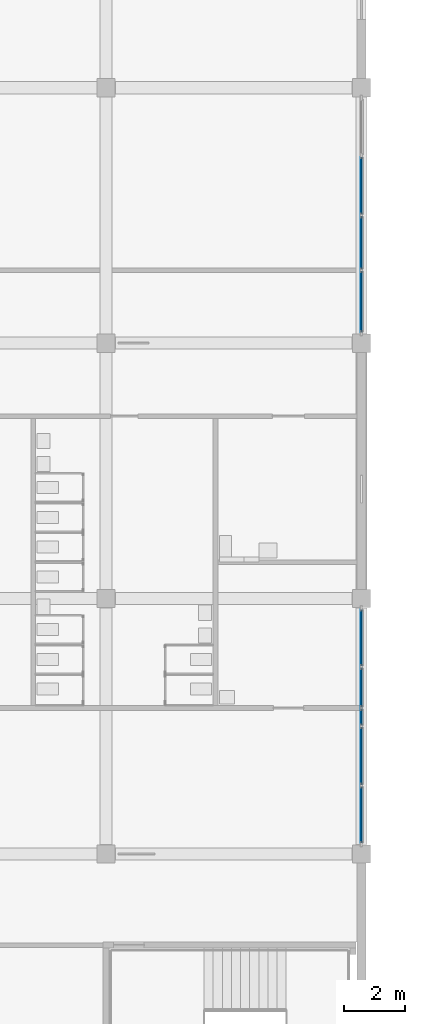
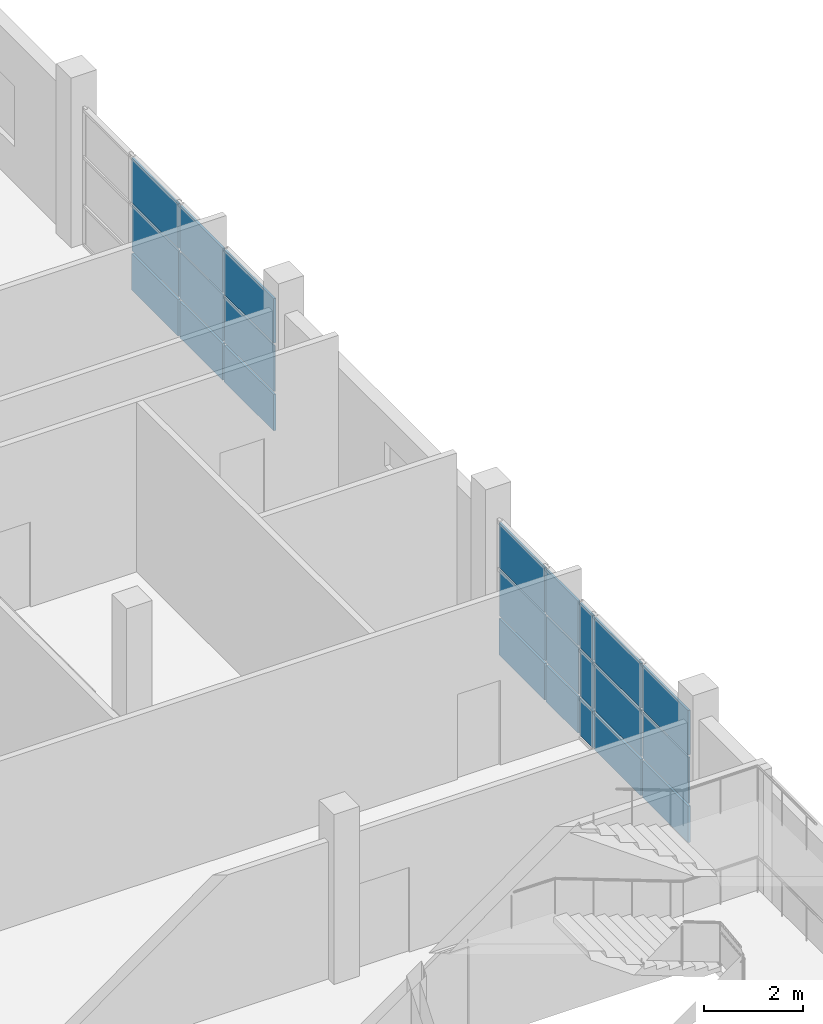
# One storey, part 13 of 56: 24 plates, 2 elements without a shape of their own.
"""IFC4 building model written with IfcOpenShell, lengths in metres."""

import ifcopenshell
import ifcopenshell.guid

model = None  # the IFC model being written
_history = None  # IfcOwnerHistory: only IFC2X3 demands one
_inside = {}  # id of a spatial element -> (the spatial element, [elements in it])
_under = {}  # id of a project, library or spatial element -> (it, [spatial elements below it])
_declared = {}  # id of a project -> (the project, [libraries it declares])
_typed = {}  # id of a type object -> (the type object, [elements of that type])
_made_of = {}  # id of a material, layer set ... -> (it, [elements and type objects made of it])


def new_model(schema):
    """Start an empty IFC model of exactly this schema.

    Asked for "IFC4X3", IfcOpenShell would pick the latest addendum, in which some entities
    have other attributes; the version numbers below select the first issue.
    IFC2X3 requires an IfcOwnerHistory on every rooted entity: one is made here for all.
    """
    global model, _history
    if schema == "IFC4X3":
        model = ifcopenshell.file(schema_version=(4, 3, 0, 0))
    else:
        model = ifcopenshell.file(schema=schema)
    _inside.clear()
    _under.clear()
    _declared.clear()
    _typed.clear()
    _made_of.clear()
    _history = None
    if model.schema == "IFC2X3":
        org = make("IfcOrganization", Name="unknown")
        user = make(
            "IfcPersonAndOrganization",
            ThePerson=make("IfcPerson", FamilyName="unknown"),
            TheOrganization=org,
        )
        app = make(
            "IfcApplication",
            ApplicationDeveloper=org,
            Version="unknown",
            ApplicationFullName="unknown",
            ApplicationIdentifier="unknown",
        )
        _history = make(
            "IfcOwnerHistory",
            OwningUser=user,
            OwningApplication=app,
            ChangeAction="ADDED",
            CreationDate=0,
        )
    return model


def make(cls, **values):
    """One entity of the class cls with the attributes given. An attribute that is None is left unset."""
    return model.create_entity(
        cls, **{name: value for name, value in values.items() if value is not None}
    )


def rooted(cls, **values):
    """An entity with a GlobalId (a new one), such as an element, a storey or a relation."""
    return make(cls, GlobalId=ifcopenshell.guid.new(), OwnerHistory=_history, **values)


def si_unit(unit_type, name, prefix=None):
    """IfcSIUnit, for example si_unit("LENGTHUNIT", "METRE", prefix="MILLI")."""
    return make("IfcSIUnit", UnitType=unit_type, Prefix=prefix, Name=name)


def assignment(units):
    """IfcUnitAssignment: the units of a project."""
    return None if units is None else make("IfcUnitAssignment", Units=units)


def point(xyz):
    """IfcCartesianPoint."""
    return None if xyz is None else make("IfcCartesianPoint", Coordinates=xyz)


def direction(xyz):
    """IfcDirection."""
    return None if xyz is None else make("IfcDirection", DirectionRatios=xyz)


def frame(location, z_axis=None, x_axis=None):
    """IfcAxis2Placement3D, a coordinate frame: its origin and axes. An axis left out is left unset."""
    return make(
        "IfcAxis2Placement3D",
        Location=point(location),
        Axis=direction(z_axis),
        RefDirection=direction(x_axis),
    )


def frame_2d(location, x_axis=None):
    """IfcAxis2Placement2D, a coordinate frame in the plane: its origin and x axis."""
    return make(
        "IfcAxis2Placement2D", Location=point(location), RefDirection=direction(x_axis)
    )


def origin():
    """The frame at (0, 0, 0) with its axes left unset."""
    return frame((0.0, 0.0, 0.0))


def origin_2d():
    """The frame at (0, 0) in the plane with its x axis left unset."""
    return frame_2d((0.0, 0.0))


def place(relative_to, where):
    """IfcLocalPlacement: puts the frame where relative to a parent placement (None: the world)."""
    return make(
        "IfcLocalPlacement", PlacementRelTo=relative_to, RelativePlacement=where
    )


def context(
    kind, dimensions, precision=None, world=None, true_north=None, identifier=None
):
    """IfcGeometricRepresentationContext, for example the 3D "Model" context."""
    return make(
        "IfcGeometricRepresentationContext",
        ContextIdentifier=identifier,
        ContextType=kind,
        CoordinateSpaceDimension=dimensions,
        Precision=precision,
        WorldCoordinateSystem=world,
        TrueNorth=true_north,
    )


def subcontext(parent, identifier, kind, view, scale=None):
    """IfcGeometricRepresentationSubContext, for example "Body" below "Model"."""
    return make(
        "IfcGeometricRepresentationSubContext",
        ContextIdentifier=identifier,
        ContextType=kind,
        ParentContext=parent,
        TargetScale=scale,
        TargetView=view,
    )


def project(units=None, contexts=None):
    """IfcProject with its units and contexts."""
    return rooted(
        "IfcProject",
        Name="project",
        RepresentationContexts=contexts,
        UnitsInContext=assignment(units),
    )


def spatial(cls, under=None, at=None, **own):
    """A site, building, storey or space (cls), placed at a placement, below another one or the project."""
    s = rooted(cls, ObjectPlacement=at, **own)
    if under is not None:
        _under.setdefault(under.id(), (under, []))[1].append(s)
    return s


def profile(cls, at=None, kind="AREA", **sizes):
    """A parametric profile (cls). Its sizes go by their IFC names, for example OverallWidth=200.0."""
    return make(cls, ProfileType=kind, Position=at, **sizes)


def rectangle(**sizes):
    """IfcRectangleProfileDef."""
    return profile("IfcRectangleProfileDef", **sizes)


def extrude(swept, where, along, depth):
    """IfcExtrudedAreaSolid: the profile swept, set in the frame where, extruded along a direction by depth."""
    return make(
        "IfcExtrudedAreaSolid",
        SweptArea=swept,
        Position=where,
        ExtrudedDirection=direction(along),
        Depth=depth,
    )


def shape(context_of_items, identifier, shape_type, items):
    """IfcShapeRepresentation: the items that make up one representation, for example the "Body"."""
    return make(
        "IfcShapeRepresentation",
        ContextOfItems=context_of_items,
        RepresentationIdentifier=identifier,
        RepresentationType=shape_type,
        Items=items,
    )


def material(Name=None, Category=None):
    """IfcMaterial."""
    return make("IfcMaterial", Name=Name, Category=Category)


def layer(
    of_material, thickness, ventilated=None, Name=None, Category=None, Priority=None
):
    """IfcMaterialLayer: one layer of a wall or slab, of a material (None: an air gap)."""
    return make(
        "IfcMaterialLayer",
        Material=of_material,
        LayerThickness=thickness,
        IsVentilated=ventilated,
        Name=Name,
        Category=Category,
        Priority=Priority,
    )


def layer_set(layers, Name=None):
    """IfcMaterialLayerSet."""
    return make("IfcMaterialLayerSet", MaterialLayers=layers, LayerSetName=Name)


def made_of(thing, what):
    """Note that an element or type object is made of a material, layer set ...; save() writes the relation."""
    if what is not None:
        _made_of.setdefault(what.id(), (what, []))[1].append(thing)
    return thing


def type_object(cls, material=None, **own):
    """A type object (cls), such as IfcWallType, which elements share."""
    return made_of(rooted(cls, **own), material)


def element(
    cls,
    number,
    at=None,
    inside=None,
    cuts=None,
    type_object=None,
    material=None,
    context=None,
    identifier="Body",
    shape_type=None,
    held_by="IfcProductDefinitionShape",
    body=None,
    shapes=None,
    **own,
):
    """One element of the class cls, such as IfcWall. Its Tag is "e" and its number.

    at: its placement. inside: the storey or other place that contains it. cuts: it is an
    opening in that element (IfcRelVoidsElement). A single representation is given by context,
    identifier, shape_type and body (its items); several are given by shapes. held_by: the class
    of the entity that holds the representations. save() writes the other relations.
    """
    e = rooted(cls, Tag="e%d" % number, ObjectPlacement=at, **own)
    if body is not None:
        shapes = [shape(context, identifier, shape_type, body)]
    if shapes is not None:
        e.Representation = make(held_by, Representations=shapes)
    if inside is not None:
        _inside.setdefault(inside.id(), (inside, []))[1].append(e)
    if cuts is not None:
        rooted(
            "IfcRelVoidsElement", RelatingBuildingElement=cuts, RelatedOpeningElement=e
        )
    if type_object is not None:
        _typed.setdefault(type_object.id(), (type_object, []))[1].append(e)
    return made_of(e, material)


def aggregate(whole, parts):
    """IfcRelAggregates: a whole, such as a stair, and the parts it consists of."""
    return rooted("IfcRelAggregates", RelatingObject=whole, RelatedObjects=parts)


def save(model, path):
    """Write the relations noted so far, then the file.

    IfcRelAggregates (storeys below a building ...), IfcRelContainedInSpatialStructure (elements
    in a storey), IfcRelDefinesByType, IfcRelAssociatesMaterial and IfcRelDeclares: one each for
    every whole, place, type object, material and project.
    """
    for whole, parts in _under.values():
        aggregate(whole, parts)
    for where, things in _inside.values():
        rooted(
            "IfcRelContainedInSpatialStructure",
            RelatedElements=things,
            RelatingStructure=where,
        )
    for kind, things in _typed.values():
        rooted("IfcRelDefinesByType", RelatedObjects=things, RelatingType=kind)
    for what, things in _made_of.values():
        rooted("IfcRelAssociatesMaterial", RelatedObjects=things, RelatingMaterial=what)
    for by, libraries in _declared.values():
        rooted("IfcRelDeclares", RelatingContext=by, RelatedDefinitions=libraries)
    model.write(path)


model = new_model("IFC4")

# Units and contexts
model_context = context("Model", 3, precision=1e-05, world=origin(), true_north=direction((0.0, 1.0)))
body_context = subcontext(model_context, "Body", "Model", "MODEL_VIEW")
ifc_project = project(units=[si_unit("LENGTHUNIT", "METRE"), si_unit("AREAUNIT", "SQUARE_METRE"), si_unit("VOLUMEUNIT", "CUBIC_METRE"), si_unit("PLANEANGLEUNIT", "RADIAN"), si_unit("MASSUNIT", "GRAM", prefix="KILO")], contexts=[model_context])

# Site, building, storey
site_placement = place(None, origin())
site = spatial("IfcSite", under=ifc_project, at=site_placement, CompositionType="ELEMENT")
building_placement = place(site_placement, origin())
building = spatial("IfcBuilding", under=site, at=building_placement, Name="Rulbaag Community and Learning Centre", CompositionType="ELEMENT")
storey_placement = place(building_placement, frame((0.0, 0.0, 9.89990234375)))
storey = spatial("IfcBuildingStorey", under=building, at=storey_placement, Name="L02", CompositionType="ELEMENT", Elevation=9.89990234375)

# Curtain wall, plates
ifc_material_1 = material(Name="Aluminium", Category="aluminium")
ifc_layer_1 = layer(ifc_material_1, 0.14990234375)
ifc_layer_set_1 = layer_set([ifc_layer_1], Name="CW-L")
curtain_wall_type = type_object("IfcCurtainWallType", Name="CW-L", PredefinedType="USERDEFINED", material=ifc_layer_set_1)
curtain_wall_1_placement = place(storey_placement, origin())
curtain_wall_1 = element("IfcCurtainWall", 1, at=curtain_wall_1_placement, inside=storey, type_object=curtain_wall_type, Name="GL-L02-06", ObjectType="STICK CURTAIN WALL", PredefinedType="USERDEFINED")
ifc_layer_2 = layer(ifc_material_1, 0.050048828125)
ifc_layer_set_2 = layer_set([ifc_layer_2], Name="CW-L-SPN")
plate_type_1 = type_object("IfcPlateType", Name="CW-L-SPN", PredefinedType="CURTAIN_PANEL", material=ifc_layer_set_2)
plate_1_placement = place(storey_placement, frame((168.0, 9.691162109375, 0.06494140625), z_axis=(0.0, 0.0, 1.0), x_axis=(0.0, 1.0, 0.0)))
plate_1 = element("IfcPlate", 2, at=plate_1_placement, type_object=plate_type_1, Name="GL spandrel panel", PredefinedType="CURTAIN_PANEL", context=body_context, shape_type="SweptSolid", body=[
    extrude(rectangle(XDim=1.8525390625, YDim=0.050048828125, at=origin_2d()), origin(), (0.0, 0.0, 1.0), 0.902587890625),
])
plate_2_placement = place(storey_placement, frame((168.0, 9.691162109375, 2.232666015625), z_axis=(0.0, 0.0, 1.0), x_axis=(0.0, 1.0, 0.0)))
plate_2 = element("IfcPlate", 3, at=plate_2_placement, type_object=plate_type_1, Name="GL spandrel panel", PredefinedType="CURTAIN_PANEL", context=body_context, shape_type="SweptSolid", body=[
    extrude(rectangle(XDim=1.8525390625, YDim=0.050048828125, at=origin_2d()), origin(), (0.0, 0.0, 1.0), 1.1025390625),
])
plate_3_placement = place(storey_placement, frame((168.0, 11.625, 0.06494140625), z_axis=(0.0, 0.0, 1.0), x_axis=(0.0, 1.0, 0.0)))
plate_3 = element("IfcPlate", 4, at=plate_3_placement, type_object=plate_type_1, Name="GL spandrel panel", PredefinedType="CURTAIN_PANEL", context=body_context, shape_type="SweptSolid", body=[
    extrude(rectangle(XDim=1.885009765625, YDim=0.050048828125, at=origin_2d()), origin(), (0.0, 0.0, 1.0), 0.902587890625),
])
plate_4_placement = place(storey_placement, frame((168.0, 11.625, 2.232666015625), z_axis=(0.0, 0.0, 1.0), x_axis=(0.0, 1.0, 0.0)))
plate_4 = element("IfcPlate", 5, at=plate_4_placement, type_object=plate_type_1, Name="GL spandrel panel", PredefinedType="CURTAIN_PANEL", context=body_context, shape_type="SweptSolid", body=[
    extrude(rectangle(XDim=1.885009765625, YDim=0.050048828125, at=origin_2d()), origin(), (0.0, 0.0, 1.0), 1.1025390625),
])
plate_5_placement = place(storey_placement, frame((168.0, 12.89990234375, 0.06494140625), z_axis=(0.0, 0.0, 1.0), x_axis=(0.0, 1.0, 0.0)))
plate_5 = element("IfcPlate", 6, at=plate_5_placement, type_object=plate_type_1, Name="GL spandrel panel", PredefinedType="CURTAIN_PANEL", context=body_context, shape_type="SweptSolid", body=[
    extrude(rectangle(XDim=0.534912109375, YDim=0.050048828125, at=origin_2d()), origin(), (0.0, 0.0, 1.0), 0.902587890625),
])
plate_6_placement = place(storey_placement, frame((168.0, 12.89990234375, 2.232666015625), z_axis=(0.0, 0.0, 1.0), x_axis=(0.0, 1.0, 0.0)))
plate_6 = element("IfcPlate", 7, at=plate_6_placement, type_object=plate_type_1, Name="GL spandrel panel", PredefinedType="CURTAIN_PANEL", context=body_context, shape_type="SweptSolid", body=[
    extrude(rectangle(XDim=0.534912109375, YDim=0.050048828125, at=origin_2d()), origin(), (0.0, 0.0, 1.0), 1.1025390625),
])
plate_7_placement = place(storey_placement, frame((168.0, 13.875, 0.06494140625), z_axis=(0.0, 0.0, 1.0), x_axis=(0.0, 1.0, 0.0)))
plate_7 = element("IfcPlate", 8, at=plate_7_placement, type_object=plate_type_1, Name="GL spandrel panel", PredefinedType="CURTAIN_PANEL", context=body_context, shape_type="SweptSolid", body=[
    extrude(rectangle(XDim=1.284912109375, YDim=0.050048828125, at=origin_2d()), origin(), (0.0, 0.0, 1.0), 0.902587890625),
])
plate_8_placement = place(storey_placement, frame((168.0, 13.875, 2.232666015625), z_axis=(0.0, 0.0, 1.0), x_axis=(0.0, 1.0, 0.0)))
plate_8 = element("IfcPlate", 9, at=plate_8_placement, type_object=plate_type_1, Name="GL spandrel panel", PredefinedType="CURTAIN_PANEL", context=body_context, shape_type="SweptSolid", body=[
    extrude(rectangle(XDim=1.284912109375, YDim=0.050048828125, at=origin_2d()), origin(), (0.0, 0.0, 1.0), 1.1025390625),
])
plate_9_placement = place(storey_placement, frame((168.0, 15.5087890625, 0.06494140625), z_axis=(0.0, 0.0, 1.0), x_axis=(0.0, 1.0, 0.0)))
plate_9 = element("IfcPlate", 10, at=plate_9_placement, type_object=plate_type_1, Name="GL spandrel panel", PredefinedType="CURTAIN_PANEL", context=body_context, shape_type="SweptSolid", body=[
    extrude(rectangle(XDim=1.8525390625, YDim=0.050048828125, at=origin_2d()), origin(), (0.0, 0.0, 1.0), 0.902587890625),
])
plate_10_placement = place(storey_placement, frame((168.0, 15.5087890625, 2.232666015625), z_axis=(0.0, 0.0, 1.0), x_axis=(0.0, 1.0, 0.0)))
plate_10 = element("IfcPlate", 11, at=plate_10_placement, type_object=plate_type_1, Name="GL spandrel panel", PredefinedType="CURTAIN_PANEL", context=body_context, shape_type="SweptSolid", body=[
    extrude(rectangle(XDim=1.8525390625, YDim=0.050048828125, at=origin_2d()), origin(), (0.0, 0.0, 1.0), 1.1025390625),
])

curtain_wall_2_placement = place(storey_placement, origin())
curtain_wall_2 = element("IfcCurtainWall", 12, at=curtain_wall_2_placement, inside=storey, type_object=curtain_wall_type, Name="GL-L02-07", ObjectType="STICK CURTAIN WALL", PredefinedType="USERDEFINED")
plate_11_placement = place(storey_placement, frame((168.0, 26.566162109375, 0.06494140625), z_axis=(0.0, 0.0, 1.0), x_axis=(0.0, 1.0, 0.0)))
plate_11 = element("IfcPlate", 13, at=plate_11_placement, type_object=plate_type_1, Name="GL spandrel panel", PredefinedType="CURTAIN_PANEL", context=body_context, shape_type="SweptSolid", body=[
    extrude(rectangle(XDim=2.00244140625, YDim=0.050048828125, at=origin_2d()), origin(), (0.0, 0.0, 1.0), 0.902587890625),
])
plate_12_placement = place(storey_placement, frame((168.0, 26.566162109375, 2.232666015625), z_axis=(0.0, 0.0, 1.0), x_axis=(0.0, 1.0, 0.0)))
plate_12 = element("IfcPlate", 14, at=plate_12_placement, type_object=plate_type_1, Name="GL spandrel panel", PredefinedType="CURTAIN_PANEL", context=body_context, shape_type="SweptSolid", body=[
    extrude(rectangle(XDim=2.00244140625, YDim=0.050048828125, at=origin_2d()), origin(), (0.0, 0.0, 1.0), 1.1025390625),
])
plate_13_placement = place(storey_placement, frame((168.0, 28.5, 0.06494140625), z_axis=(0.0, 0.0, 1.0), x_axis=(0.0, 1.0, 0.0)))
plate_13 = element("IfcPlate", 15, at=plate_13_placement, type_object=plate_type_1, Name="GL spandrel panel", PredefinedType="CURTAIN_PANEL", context=body_context, shape_type="SweptSolid", body=[
    extrude(rectangle(XDim=1.735107421875, YDim=0.050048828125, at=origin_2d()), origin(), (0.0, 0.0, 1.0), 0.902587890625),
])
plate_14_placement = place(storey_placement, frame((168.0, 28.5, 2.232666015625), z_axis=(0.0, 0.0, 1.0), x_axis=(0.0, 1.0, 0.0)))
plate_14 = element("IfcPlate", 16, at=plate_14_placement, type_object=plate_type_1, Name="GL spandrel panel", PredefinedType="CURTAIN_PANEL", context=body_context, shape_type="SweptSolid", body=[
    extrude(rectangle(XDim=1.735107421875, YDim=0.050048828125, at=origin_2d()), origin(), (0.0, 0.0, 1.0), 1.1025390625),
])
plate_15_placement = place(storey_placement, frame((168.0, 30.375, 0.06494140625), z_axis=(0.0, 0.0, 1.0), x_axis=(0.0, 1.0, 0.0)))
plate_15 = element("IfcPlate", 17, at=plate_15_placement, type_object=plate_type_1, Name="GL spandrel panel", PredefinedType="CURTAIN_PANEL", context=body_context, shape_type="SweptSolid", body=[
    extrude(rectangle(XDim=1.885009765625, YDim=0.050048828125, at=origin_2d()), origin(), (0.0, 0.0, 1.0), 0.902587890625),
])
plate_16_placement = place(storey_placement, frame((168.0, 30.375, 2.232666015625), z_axis=(0.0, 0.0, 1.0), x_axis=(0.0, 1.0, 0.0)))
plate_16 = element("IfcPlate", 18, at=plate_16_placement, type_object=plate_type_1, Name="GL spandrel panel", PredefinedType="CURTAIN_PANEL", context=body_context, shape_type="SweptSolid", body=[
    extrude(rectangle(XDim=1.885009765625, YDim=0.050048828125, at=origin_2d()), origin(), (0.0, 0.0, 1.0), 1.1025390625),
])

# Plate
ifc_material_2 = material(Name="Glass", Category="glass")
ifc_layer_3 = layer(ifc_material_2, 0.031982421875)
ifc_layer_set_3 = layer_set([ifc_layer_3], Name="CW-L-VIS")
plate_type_2 = type_object("IfcPlateType", Name="CW-L-VIS", PredefinedType="CURTAIN_PANEL", material=ifc_layer_set_3)
plate_17_placement = place(storey_placement, frame((168.0, 9.691162109375, 1.03271484375), z_axis=(0.0, 0.0, 1.0), x_axis=(0.0, 1.0, 0.0)))
plate_17 = element("IfcPlate", 19, at=plate_17_placement, type_object=plate_type_2, Name="GL vision panel", PredefinedType="CURTAIN_PANEL", context=body_context, shape_type="SweptSolid", body=[
    extrude(rectangle(XDim=1.8525390625, YDim=0.031982421875, at=origin_2d()), origin(), (0.0, 0.0, 1.0), 1.135009765625),
])

plate_18_placement = place(storey_placement, frame((168.0, 11.625, 1.03271484375), z_axis=(0.0, 0.0, 1.0), x_axis=(0.0, 1.0, 0.0)))
plate_18 = element("IfcPlate", 20, at=plate_18_placement, type_object=plate_type_2, Name="GL vision panel", PredefinedType="CURTAIN_PANEL", context=body_context, shape_type="SweptSolid", body=[
    extrude(rectangle(XDim=1.885009765625, YDim=0.031982421875, at=origin_2d()), origin(), (0.0, 0.0, 1.0), 1.135009765625),
])

plate_19_placement = place(storey_placement, frame((168.0, 12.89990234375, 1.03271484375), z_axis=(0.0, 0.0, 1.0), x_axis=(0.0, 1.0, 0.0)))
plate_19 = element("IfcPlate", 21, at=plate_19_placement, type_object=plate_type_2, Name="GL vision panel", PredefinedType="CURTAIN_PANEL", context=body_context, shape_type="SweptSolid", body=[
    extrude(rectangle(XDim=0.534912109375, YDim=0.031982421875, at=origin_2d()), origin(), (0.0, 0.0, 1.0), 1.135009765625),
])

plate_20_placement = place(storey_placement, frame((168.0, 13.875, 1.03271484375), z_axis=(0.0, 0.0, 1.0), x_axis=(0.0, 1.0, 0.0)))
plate_20 = element("IfcPlate", 22, at=plate_20_placement, type_object=plate_type_2, Name="GL vision panel", PredefinedType="CURTAIN_PANEL", context=body_context, shape_type="SweptSolid", body=[
    extrude(rectangle(XDim=1.284912109375, YDim=0.031982421875, at=origin_2d()), origin(), (0.0, 0.0, 1.0), 1.135009765625),
])

plate_21_placement = place(storey_placement, frame((168.0, 15.5087890625, 1.03271484375), z_axis=(0.0, 0.0, 1.0), x_axis=(0.0, 1.0, 0.0)))
plate_21 = element("IfcPlate", 23, at=plate_21_placement, type_object=plate_type_2, Name="GL vision panel", PredefinedType="CURTAIN_PANEL", context=body_context, shape_type="SweptSolid", body=[
    extrude(rectangle(XDim=1.8525390625, YDim=0.031982421875, at=origin_2d()), origin(), (0.0, 0.0, 1.0), 1.135009765625),
])

aggregate(curtain_wall_1, [plate_1, plate_17, plate_2, plate_3, plate_18, plate_4, plate_5, plate_19, plate_6, plate_7, plate_20, plate_8, plate_9, plate_21, plate_10])

plate_22_placement = place(storey_placement, frame((168.0, 26.566162109375, 1.03271484375), z_axis=(0.0, 0.0, 1.0), x_axis=(0.0, 1.0, 0.0)))
plate_22 = element("IfcPlate", 24, at=plate_22_placement, type_object=plate_type_2, Name="GL vision panel", PredefinedType="CURTAIN_PANEL", context=body_context, shape_type="SweptSolid", body=[
    extrude(rectangle(XDim=2.00244140625, YDim=0.031982421875, at=origin_2d()), origin(), (0.0, 0.0, 1.0), 1.135009765625),
])

plate_23_placement = place(storey_placement, frame((168.0, 28.5, 1.03271484375), z_axis=(0.0, 0.0, 1.0), x_axis=(0.0, 1.0, 0.0)))
plate_23 = element("IfcPlate", 25, at=plate_23_placement, type_object=plate_type_2, Name="GL vision panel", PredefinedType="CURTAIN_PANEL", context=body_context, shape_type="SweptSolid", body=[
    extrude(rectangle(XDim=1.735107421875, YDim=0.031982421875, at=origin_2d()), origin(), (0.0, 0.0, 1.0), 1.135009765625),
])

plate_24_placement = place(storey_placement, frame((168.0, 30.375, 1.03271484375), z_axis=(0.0, 0.0, 1.0), x_axis=(0.0, 1.0, 0.0)))
plate_24 = element("IfcPlate", 26, at=plate_24_placement, type_object=plate_type_2, Name="GL vision panel", PredefinedType="CURTAIN_PANEL", context=body_context, shape_type="SweptSolid", body=[
    extrude(rectangle(XDim=1.885009765625, YDim=0.031982421875, at=origin_2d()), origin(), (0.0, 0.0, 1.0), 1.135009765625),
])

aggregate(curtain_wall_2, [plate_11, plate_22, plate_12, plate_13, plate_23, plate_14, plate_15, plate_24, plate_16])

save(model, "model.ifc")
